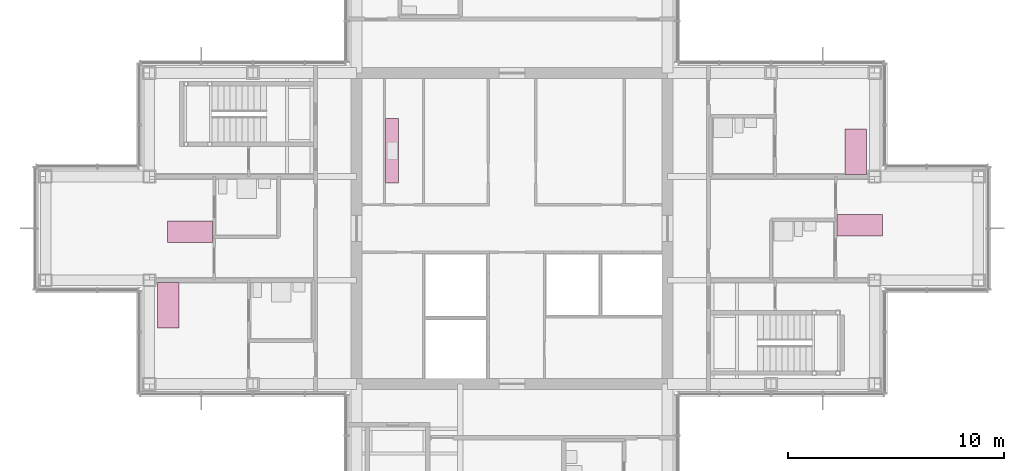
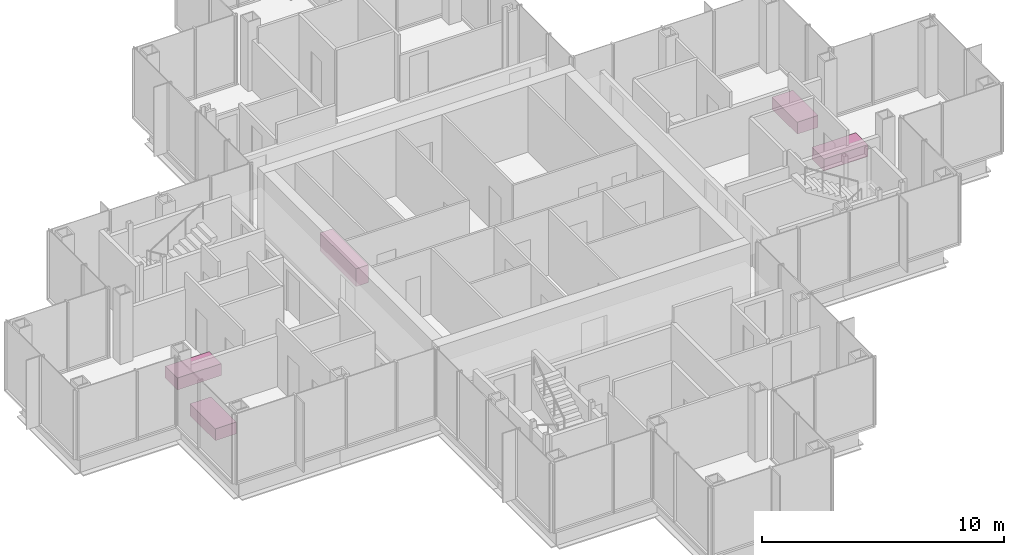
# One storey, part 17 of 17: 5 furniture elements.
"""IFC4 building model written with IfcOpenShell, lengths in metres."""

from ifc_helpers import new_model, si_unit, direction, frame, origin, origin_2d, place, context, subcontext, project, spatial, rectangle, extrude, material, type_object, element, save


model = new_model("IFC4")

# Units and contexts
model_context = context("Model", 3, precision=1e-05, world=origin(), true_north=direction((0.0, 1.0)))
body_context = subcontext(model_context, "Body", "Model", "MODEL_VIEW")
ifc_project = project(units=[si_unit("LENGTHUNIT", "METRE"), si_unit("AREAUNIT", "SQUARE_METRE"), si_unit("VOLUMEUNIT", "CUBIC_METRE"), si_unit("PLANEANGLEUNIT", "RADIAN"), si_unit("MASSUNIT", "GRAM", prefix="KILO")], contexts=[model_context])

# Site, building, storey
site_placement = place(None, origin())
site = spatial("IfcSite", under=ifc_project, at=site_placement, CompositionType="ELEMENT")
building_placement = place(site_placement, origin())
building = spatial("IfcBuilding", under=site, at=building_placement, Name="Kvirike Care Tower", CompositionType="ELEMENT")
storey_placement = place(building_placement, frame((0.0, 0.0, 165.5)))
storey = spatial("IfcBuildingStorey", under=building, at=storey_placement, Name="L45", CompositionType="ELEMENT", Elevation=165.5)

# Furniture
ifc_material_1 = material(Name="Steel frame", Category="steel")
furniture_type_1 = type_object("IfcFurnitureType", Name="CARE BED 1000 x 2100", AssemblyPlace="FACTORY", PredefinedType="BED", material=ifc_material_1)
for number, where, z_axis, x_axis, name in (
    (1, (6.68798828125, 35.85009765625, 0.0), (0.0, 0.0, 1.0), (0.0, -1.0, 0.0), "Care bed L45-005"),
    (2, (5.669921875, 32.447998046875, 0.0), (0.0, 0.0, 1.0), (1.0, 0.0, 0.0), "Care bed L45-008"),
    (3, (37.7119140625, 36.14990234375, 0.0), (0.0, 0.0, 1.0), (0.0, 1.0, 0.0), "Care bed L45-030"),
    (4, (37.530029296875, 39.552001953125, 0.0), (0.0, 0.0, 1.0), (-1.0, 0.0, 0.0), "Care bed L45-033"),
):
    element("IfcFurniture", number, at=place(storey_placement, frame(where, z_axis=z_axis, x_axis=x_axis)), inside=storey, type_object=furniture_type_1, Name=name, PredefinedType="BED", context=body_context, shape_type="SweptSolid", body=[
        extrude(rectangle(XDim=1.0, YDim=2.10009765625, at=origin_2d()), origin(), (0.0, 0.0, 1.0), 0.60009765625),
    ])
ifc_material_2 = material(Name="Laminated board", Category="wood")
furniture_type_2 = type_object("IfcFurnitureType", Name="KITCHEN UNIT RUN 600", AssemblyPlace="FACTORY", PredefinedType="USERDEFINED", material=ifc_material_2)
furniture_placement = place(storey_placement, frame((16.052001953125, 39.60009765625, 0.0), z_axis=(0.0, 0.0, 1.0), x_axis=(0.0, 1.0, 0.0)))
element("IfcFurniture", 5, at=furniture_placement, inside=storey, type_object=furniture_type_2, Name="Kitchen unit run L45-042", ObjectType="KITCHEN UNIT", PredefinedType="USERDEFINED", context=body_context, shape_type="SweptSolid", body=[
    extrude(rectangle(XDim=3.0, YDim=0.60009765625, at=origin_2d()), origin(), (0.0, 0.0, 1.0), 0.89990234375),
])

save(model, "model.ifc")
